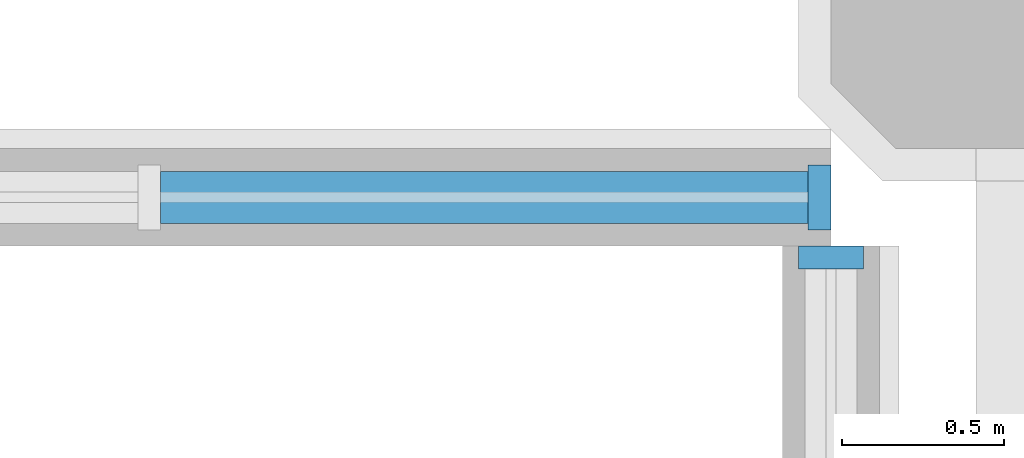
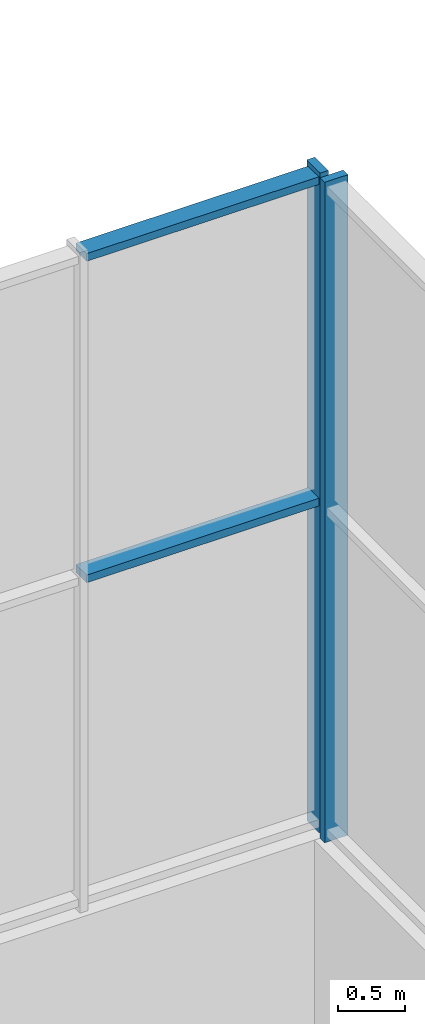
# One storey, part 23 of 42: 4 members, 2 elements without a shape of their own.
"""IFC4 building model written with IfcOpenShell, lengths in metres."""

from ifc_helpers import new_model, si_unit, direction, frame, origin, origin_2d, place, context, subcontext, project, spatial, rectangle, extrude, material, material_profile, profile_set, type_object, element, aggregate, save


model = new_model("IFC4")

# Units and contexts
model_context = context("Model", 3, precision=1e-05, world=origin(), true_north=direction((0.0, 1.0)))
body_context = subcontext(model_context, "Body", "Model", "MODEL_VIEW")
ifc_project = project(units=[si_unit("LENGTHUNIT", "METRE"), si_unit("AREAUNIT", "SQUARE_METRE"), si_unit("VOLUMEUNIT", "CUBIC_METRE"), si_unit("PLANEANGLEUNIT", "RADIAN"), si_unit("MASSUNIT", "GRAM", prefix="KILO")], contexts=[model_context])

# Site, building, storey
site_placement = place(None, origin())
site = spatial("IfcSite", under=ifc_project, at=site_placement, CompositionType="ELEMENT")
building_placement = place(site_placement, origin())
building = spatial("IfcBuilding", under=site, at=building_placement, Name="Tabaq Tower and Sports Hall", CompositionType="ELEMENT")
storey_placement = place(building_placement, frame((0.0, 0.0, 19.800048828125)))
storey = spatial("IfcBuildingStorey", under=building, at=storey_placement, Name="L03", CompositionType="ELEMENT", Elevation=19.800048828125)

# Curtain wall, member
ifc_material_1 = material(Name="Aluminium alloy 6063-T6 framed glazing", Category="aluminium")
curtain_wall_type = type_object("IfcCurtainWallType", Name="CW6 curtain wall", PredefinedType="USERDEFINED", material=ifc_material_1)
curtain_wall_1_placement = place(storey_placement, origin())
curtain_wall_1 = element("IfcCurtainWall", 1, at=curtain_wall_1_placement, inside=storey, type_object=curtain_wall_type, Name="L03 N hall glazing run", ObjectType="HALL FACADE WALL", PredefinedType="USERDEFINED")
ifc_material_2 = material(Name="Aluminium alloy 6063-T6", Category="aluminium")
ifc_material_profile_1 = material_profile(ifc_material_2, rectangle(XDim=0.199951171875, YDim=0.070068359375, at=origin_2d()), Name="MULLION 200x70")
ifc_profile_set_1 = profile_set([ifc_material_profile_1], Name="Aluminium alloy 6063-T6")
member_type_1 = type_object("IfcMemberType", Name="CW6 mullion 200x70", PredefinedType="MULLION", material=ifc_profile_set_1)
member_1_placement = place(storey_placement, frame((123.56494140625, 42.60009765625, 3.199951171875), z_axis=(0.0, 0.0, 1.0), x_axis=(0.0, 1.0, 0.0)))
member_1 = element("IfcMember", 2, at=member_1_placement, type_object=member_type_1, Name="CW6 mullion 3", PredefinedType="MULLION", context=body_context, shape_type="SweptSolid", body=[
    extrude(rectangle(XDim=0.199951171875, YDim=0.070068359375, at=origin_2d()), origin(), (0.0, 0.0, 1.0), 6.0),
])

curtain_wall_2_placement = place(storey_placement, origin())
curtain_wall_2 = element("IfcCurtainWall", 3, at=curtain_wall_2_placement, inside=storey, type_object=curtain_wall_type, Name="L03 E hall glazing run", ObjectType="HALL FACADE WALL", PredefinedType="USERDEFINED")
member_2_placement = place(storey_placement, frame((123.60009765625, 42.4150390625, 3.199951171875), z_axis=(0.0, 0.0, 1.0), x_axis=(-1.0, 0.0, 0.0)))
member_2 = element("IfcMember", 4, at=member_2_placement, type_object=member_type_1, Name="CW6 mullion 3", PredefinedType="MULLION", context=body_context, shape_type="SweptSolid", body=[
    extrude(rectangle(XDim=0.199951171875, YDim=0.070068359375, at=origin_2d()), origin(), (0.0, 0.0, 1.0), 6.0),
])
aggregate(curtain_wall_2, [member_2])

# Member
ifc_material_3 = material(Name="Aluminium alloy 6063-T6", Category="aluminium")
ifc_material_profile_2 = material_profile(ifc_material_3, rectangle(XDim=0.159912109375, YDim=0.070068359375, at=origin_2d()), Name="TRANSOM 160x70")
ifc_profile_set_2 = profile_set([ifc_material_profile_2], Name="Aluminium alloy 6063-T6")
member_type_2 = type_object("IfcMemberType", Name="CW6 transom 160x70", PredefinedType="USERDEFINED", material=ifc_profile_set_2)
member_3_placement = place(storey_placement, frame((121.534912109375, 42.60009765625, 6.199951171875), z_axis=(1.0, 0.0, 0.0), x_axis=(0.0, 1.0, 0.0)))
member_3 = element("IfcMember", 5, at=member_3_placement, type_object=member_type_2, Name="CW6 transom 2.2", ObjectType="TRANSOM", PredefinedType="USERDEFINED", context=body_context, shape_type="SweptSolid", body=[
    extrude(rectangle(XDim=0.159912109375, YDim=0.070068359375, at=origin_2d()), origin(), (0.0, 0.0, 1.0), 1.9951171875),
])

member_4_placement = place(storey_placement, frame((121.534912109375, 42.60009765625, 9.119873046875), z_axis=(1.0, 0.0, 0.0), x_axis=(0.0, 1.0, 0.0)))
member_4 = element("IfcMember", 6, at=member_4_placement, type_object=member_type_2, Name="CW6 transom 2.3", ObjectType="TRANSOM", PredefinedType="USERDEFINED", context=body_context, shape_type="SweptSolid", body=[
    extrude(rectangle(XDim=0.159912109375, YDim=0.070068359375, at=origin_2d()), origin(), (0.0, 0.0, 1.0), 1.9951171875),
])

aggregate(curtain_wall_1, [member_1, member_3, member_4])

save(model, "model.ifc")
